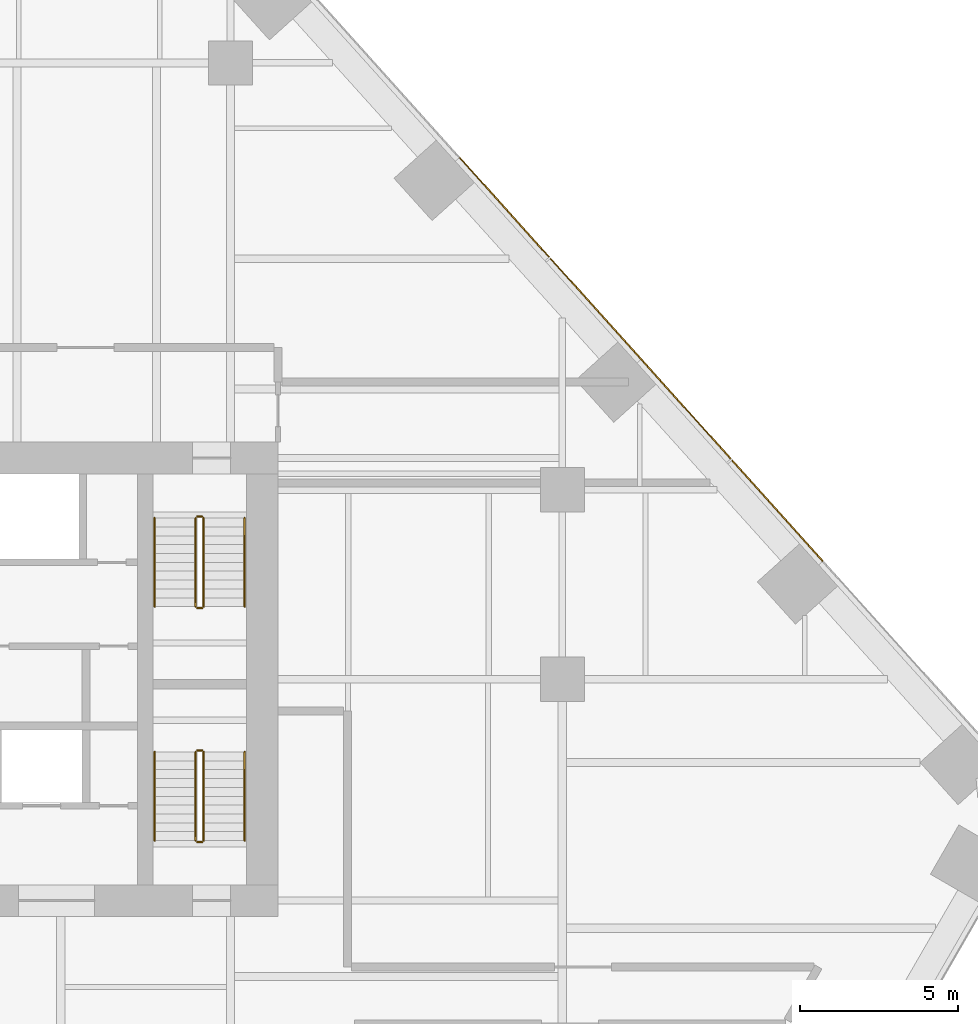
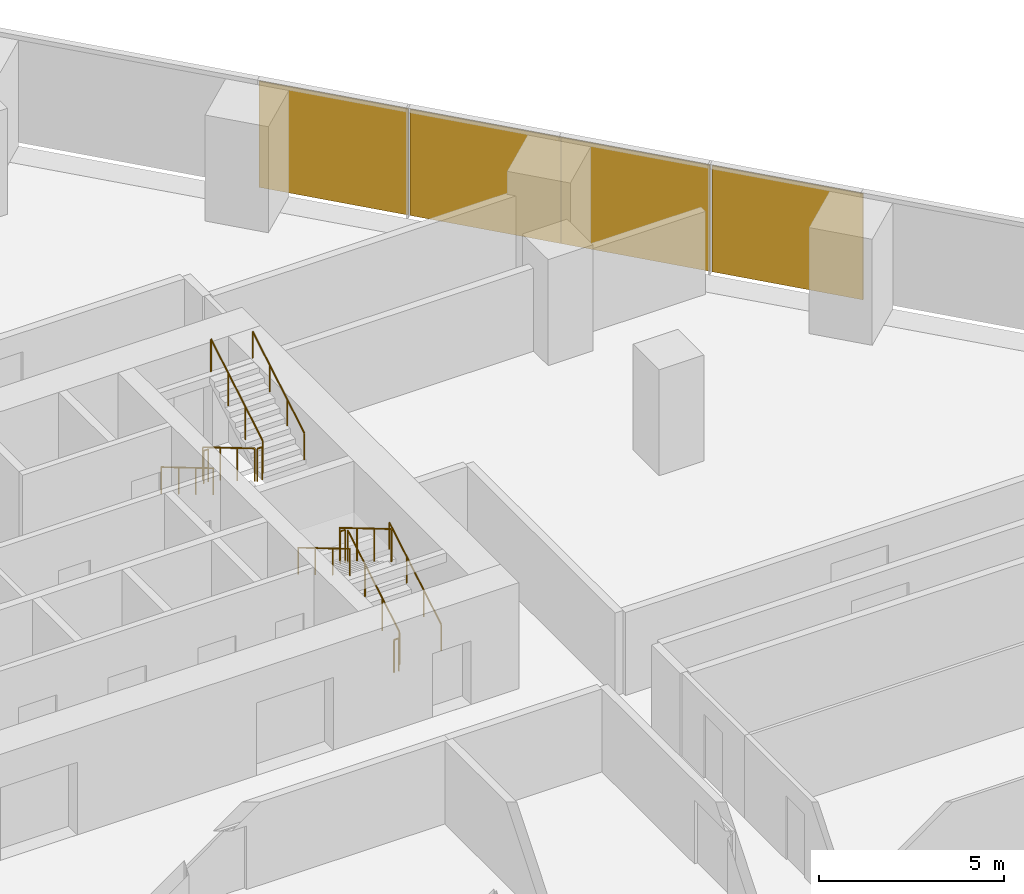
# One storey, part 20 of 20: 12 railings, 4 coverings, 1 element without a shape of its own.
"""IFC4 building model written with IfcOpenShell, lengths in metres."""

from ifc_helpers import new_model, si_unit, direction, frame, origin, origin_2d, place, context, subcontext, project, spatial, rectangle, circle, extrude, material, layer, layer_set, type_object, element, aggregate, save


model = new_model("IFC4")

# Units and contexts
model_context = context("Model", 3, precision=1e-05, world=origin(), true_north=direction((0.0, 1.0)))
body_context = subcontext(model_context, "Body", "Model", "MODEL_VIEW")
ifc_project = project(units=[si_unit("LENGTHUNIT", "METRE"), si_unit("AREAUNIT", "SQUARE_METRE"), si_unit("VOLUMEUNIT", "CUBIC_METRE"), si_unit("PLANEANGLEUNIT", "RADIAN"), si_unit("MASSUNIT", "GRAM", prefix="KILO")], contexts=[model_context])

# Site, building, storey
site_placement = place(None, origin())
site = spatial("IfcSite", under=ifc_project, at=site_placement, CompositionType="ELEMENT")
building_placement = place(site_placement, origin())
building = spatial("IfcBuilding", under=site, at=building_placement, Name="Isthmus Gate Tower", CompositionType="ELEMENT")
storey_placement = place(building_placement, frame((0.0, 0.0, 65.199951171875)))
storey = spatial("IfcBuildingStorey", under=building, at=storey_placement, Name="L14", CompositionType="ELEMENT", Elevation=65.199951171875)

# Curtain wall, coverings
ifc_material_1 = material(Name="Aluminium, pale champagne anodised", Category="aluminium")
ifc_layer_1 = layer(ifc_material_1, 0.199951171875)
ifc_layer_set_1 = layer_set([ifc_layer_1], Name="CW-1 UNITISED CURTAIN WALL 200 DEEP")
curtain_wall_type = type_object("IfcCurtainWallType", Name="CW-1 UNITISED CURTAIN WALL 200 DEEP", PredefinedType="NOTDEFINED", material=ifc_layer_set_1)
curtain_wall_placement = place(storey_placement, origin())
curtain_wall = element("IfcCurtainWall", 1, at=curtain_wall_placement, inside=storey, type_object=curtain_wall_type, Name="CW-1 NE L14", PredefinedType="NOTDEFINED")
ifc_material_2 = material(Name="Aluminium composite panel, pale champagne anodised", Category="aluminium")
ifc_layer_2 = layer(ifc_material_2, 0.0400390625)
ifc_layer_set_2 = layer_set([ifc_layer_2], Name="CW-1 PALE METAL PANEL 40")
covering_type = type_object("IfcCoveringType", Name="CW-1 PALE METAL PANEL 40", PredefinedType="CLADDING", material=ifc_layer_set_2)
covering_1_placement = place(storey_placement, frame((30.80419921875, 12.835693359375, 0.0), z_axis=(0.0, 0.0, 1.0), x_axis=(-0.669130606359, 0.743144825477, 0.0)))
covering_1 = element("IfcCovering", 2, at=covering_1_placement, type_object=covering_type, Name="CW-1 pale metal panel", PredefinedType="CLADDING", context=body_context, shape_type="SweptSolid", body=[
    extrude(rectangle(XDim=4.294677734375, YDim=0.0400390625, at=origin_2d()), origin(), (0.0, 0.0, 1.0), 3.5),
])
covering_2_placement = place(storey_placement, frame((27.910400390625, 16.049560546875, 0.0), z_axis=(0.0, 0.0, 1.0), x_axis=(-0.669130606359, 0.743144825477, 0.0)))
covering_2 = element("IfcCovering", 3, at=covering_2_placement, type_object=covering_type, Name="CW-1 pale metal panel", PredefinedType="CLADDING", context=body_context, shape_type="SweptSolid", body=[
    extrude(rectangle(XDim=4.234619140625, YDim=0.0400390625, at=origin_2d()), origin(), (0.0, 0.0, 1.0), 3.5),
])
covering_3_placement = place(storey_placement, frame((25.056884765625, 19.21875, 0.0), z_axis=(0.0, 0.0, 1.0), x_axis=(-0.669130606359, 0.743144825477, 0.0)))
covering_3 = element("IfcCovering", 4, at=covering_3_placement, type_object=covering_type, Name="CW-1 pale metal panel", PredefinedType="CLADDING", context=body_context, shape_type="SweptSolid", body=[
    extrude(rectangle(XDim=4.294677734375, YDim=0.0400390625, at=origin_2d()), origin(), (0.0, 0.0, 1.0), 3.5),
])
covering_4_placement = place(storey_placement, frame((22.1630859375, 22.4326171875, 0.0), z_axis=(0.0, 0.0, 1.0), x_axis=(-0.669130606359, 0.743144825477, 0.0)))
covering_4 = element("IfcCovering", 5, at=covering_4_placement, type_object=covering_type, Name="CW-1 pale metal panel", PredefinedType="CLADDING", context=body_context, shape_type="SweptSolid", body=[
    extrude(rectangle(XDim=4.234619140625, YDim=0.0400390625, at=origin_2d()), origin(), (0.0, 0.0, 1.0), 3.5),
])
aggregate(curtain_wall, [covering_1, covering_2, covering_3, covering_4])

# Railings
ifc_material_3 = material(Name="Stainless steel balustrade", Category="steel")
railing_type_1 = type_object("IfcRailingType", Name="STAIR GUARD 1100", PredefinedType="GUARDRAIL", material=ifc_material_3)
railing_1_placement = place(storey_placement, frame((12.39990234375, 12.60009765625, 0.166015625)))
element("IfcRailing", 6, at=railing_1_placement, inside=storey, type_object=railing_type_1, Name="L14 ST2 stair guard 1", PredefinedType="GUARDRAIL", context=body_context, shape_type="SweptSolid", body=[
    extrude(circle(Radius=0.02392578125, at=origin_2d()), frame((0.0, 0.0, 1.076171875), z_axis=(0.0, -0.860339051648, 0.50972219513), x_axis=(1.0, 0.0, 0.0)), (0.0, 0.0, 1.0), 3.254638671875),
    extrude(circle(Radius=0.02099609375, at=origin_2d()), origin(), (0.0, 0.0, 1.0), 1.052001953125),
    extrude(circle(Radius=0.02099609375, at=origin_2d()), frame((0.0, -0.933349609375, 0.552978515625)), (0.0, 0.0, 1.0), 1.052001953125),
    extrude(circle(Radius=0.02099609375, at=origin_2d()), frame((0.0, -1.86669921875, 1.10595703125)), (0.0, 0.0, 1.0), 1.052001953125),
    extrude(circle(Radius=0.02099609375, at=origin_2d()), frame((0.0, -2.800048828125, 1.658935546875)), (0.0, 0.0, 1.0), 1.052001953125),
])
railing_2_placement = place(storey_placement, frame((12.449951171875, 9.75, 1.824951171875)))
element("IfcRailing", 7, at=railing_2_placement, inside=storey, type_object=railing_type_1, Name="L14 ST2 stair guard 2", PredefinedType="GUARDRAIL", context=body_context, shape_type="SweptSolid", body=[
    extrude(circle(Radius=0.02392578125, at=origin_2d()), frame((0.0, 0.0, 1.076171875), z_axis=(1.0, 0.0, 0.0), x_axis=(0.0, 1.0, 0.0)), (0.0, 0.0, 1.0), 0.150146484375),
    extrude(circle(Radius=0.02099609375, at=origin_2d()), origin(), (0.0, 0.0, 1.0), 1.052001953125),
    extrude(circle(Radius=0.02099609375, at=origin_2d()), frame((0.150146484375, 0.0, 0.0)), (0.0, 0.0, 1.0), 1.052001953125),
])
railing_3_placement = place(storey_placement, frame((12.64990234375, 9.800048828125, 1.990966796875)))
element("IfcRailing", 8, at=railing_3_placement, inside=storey, type_object=railing_type_1, Name="L14 ST2 stair guard 3", PredefinedType="GUARDRAIL", context=body_context, shape_type="SweptSolid", body=[
    extrude(circle(Radius=0.02392578125, at=origin_2d()), frame((0.0, 0.0, 1.076171875), z_axis=(0.0, 0.860306154799, 0.50977771628), x_axis=(-1.0, 0.0, 0.0)), (0.0, 0.0, 1.0), 3.254638671875),
    extrude(circle(Radius=0.02099609375, at=origin_2d()), origin(), (0.0, 0.0, 1.0), 1.052001953125),
    extrude(circle(Radius=0.02099609375, at=origin_2d()), frame((0.0, 0.933349609375, 0.552978515625)), (0.0, 0.0, 1.0), 1.052001953125),
    extrude(circle(Radius=0.02099609375, at=origin_2d()), frame((0.0, 1.86669921875, 1.106201171875)), (0.0, 0.0, 1.0), 1.052001953125),
    extrude(circle(Radius=0.02099609375, at=origin_2d()), frame((0.0, 2.800048828125, 1.6591796875)), (0.0, 0.0, 1.0), 1.052001953125),
])
railing_4_placement = place(storey_placement, frame((12.449951171875, 12.64990234375, 0.0)))
element("IfcRailing", 9, at=railing_4_placement, inside=storey, type_object=railing_type_1, Name="L14 ST2 stair guard 4", PredefinedType="GUARDRAIL", context=body_context, shape_type="SweptSolid", body=[
    extrude(circle(Radius=0.02392578125, at=origin_2d()), frame((0.0, 0.0, 1.076171875), z_axis=(1.0, 0.0, 0.0), x_axis=(0.0, 1.0, 0.0)), (0.0, 0.0, 1.0), 0.150146484375),
    extrude(circle(Radius=0.02099609375, at=origin_2d()), origin(), (0.0, 0.0, 1.0), 1.052001953125),
    extrude(circle(Radius=0.02099609375, at=origin_2d()), frame((0.150146484375, 0.0, 0.0)), (0.0, 0.0, 1.0), 1.052001953125),
])
railing_5_placement = place(storey_placement, frame((12.64990234375, 2.39990234375, 0.166015625)))
element("IfcRailing", 10, at=railing_5_placement, inside=storey, type_object=railing_type_1, Name="L14 ST8 stair guard 1", PredefinedType="GUARDRAIL", context=body_context, shape_type="SweptSolid", body=[
    extrude(circle(Radius=0.02392578125, at=origin_2d()), frame((0.0, 0.0, 1.076171875), z_axis=(0.0, 0.860339051648, 0.50972219513), x_axis=(-1.0, 0.0, 0.0)), (0.0, 0.0, 1.0), 3.254638671875),
    extrude(circle(Radius=0.02099609375, at=origin_2d()), origin(), (0.0, 0.0, 1.0), 1.052001953125),
    extrude(circle(Radius=0.02099609375, at=origin_2d()), frame((0.0, 0.933349609375, 0.552978515625)), (0.0, 0.0, 1.0), 1.052001953125),
    extrude(circle(Radius=0.02099609375, at=origin_2d()), frame((0.0, 1.86669921875, 1.10595703125)), (0.0, 0.0, 1.0), 1.052001953125),
    extrude(circle(Radius=0.02099609375, at=origin_2d()), frame((0.0, 2.800048828125, 1.658935546875)), (0.0, 0.0, 1.0), 1.052001953125),
])
railing_6_placement = place(storey_placement, frame((12.60009765625, 5.25, 1.824951171875)))
element("IfcRailing", 11, at=railing_6_placement, inside=storey, type_object=railing_type_1, Name="L14 ST8 stair guard 2", PredefinedType="GUARDRAIL", context=body_context, shape_type="SweptSolid", body=[
    extrude(circle(Radius=0.02392578125, at=origin_2d()), frame((0.0, 0.0, 1.076171875), z_axis=(-1.0, 0.0, 0.0), x_axis=(0.0, -1.0, 0.0)), (0.0, 0.0, 1.0), 0.150146484375),
    extrude(circle(Radius=0.02099609375, at=origin_2d()), origin(), (0.0, 0.0, 1.0), 1.052001953125),
    extrude(circle(Radius=0.02099609375, at=origin_2d()), frame((-0.150146484375, 0.0, 0.0)), (0.0, 0.0, 1.0), 1.052001953125),
])
railing_7_placement = place(storey_placement, frame((12.39990234375, 5.199951171875, 1.990966796875)))
element("IfcRailing", 12, at=railing_7_placement, inside=storey, type_object=railing_type_1, Name="L14 ST8 stair guard 3", PredefinedType="GUARDRAIL", context=body_context, shape_type="SweptSolid", body=[
    extrude(circle(Radius=0.02392578125, at=origin_2d()), frame((0.0, 0.0, 1.076171875), z_axis=(0.0, -0.860306154799, 0.50977771628), x_axis=(1.0, 0.0, 0.0)), (0.0, 0.0, 1.0), 3.254638671875),
    extrude(circle(Radius=0.02099609375, at=origin_2d()), origin(), (0.0, 0.0, 1.0), 1.052001953125),
    extrude(circle(Radius=0.02099609375, at=origin_2d()), frame((0.0, -0.933349609375, 0.552978515625)), (0.0, 0.0, 1.0), 1.052001953125),
    extrude(circle(Radius=0.02099609375, at=origin_2d()), frame((0.0, -1.86669921875, 1.106201171875)), (0.0, 0.0, 1.0), 1.052001953125),
    extrude(circle(Radius=0.02099609375, at=origin_2d()), frame((0.0, -2.800048828125, 1.6591796875)), (0.0, 0.0, 1.0), 1.052001953125),
])
railing_8_placement = place(storey_placement, frame((12.60009765625, 2.35009765625, 0.0)))
element("IfcRailing", 13, at=railing_8_placement, inside=storey, type_object=railing_type_1, Name="L14 ST8 stair guard 4", PredefinedType="GUARDRAIL", context=body_context, shape_type="SweptSolid", body=[
    extrude(circle(Radius=0.02392578125, at=origin_2d()), frame((0.0, 0.0, 1.076171875), z_axis=(-1.0, 0.0, 0.0), x_axis=(0.0, -1.0, 0.0)), (0.0, 0.0, 1.0), 0.150146484375),
    extrude(circle(Radius=0.02099609375, at=origin_2d()), origin(), (0.0, 0.0, 1.0), 1.052001953125),
    extrude(circle(Radius=0.02099609375, at=origin_2d()), frame((-0.150146484375, 0.0, 0.0)), (0.0, 0.0, 1.0), 1.052001953125),
])
ifc_material_4 = material(Name="Stainless steel handrail", Category="steel")
railing_type_2 = type_object("IfcRailingType", Name="STAIR HANDRAIL 900", PredefinedType="HANDRAIL", material=ifc_material_4)
railing_9_placement = place(storey_placement, frame((11.10009765625, 12.60009765625, 0.166015625)))
element("IfcRailing", 14, at=railing_9_placement, inside=storey, type_object=railing_type_2, Name="L14 ST2 stair handrail 1", PredefinedType="HANDRAIL", context=body_context, shape_type="SweptSolid", body=[
    extrude(circle(Radius=0.02392578125, at=origin_2d()), frame((0.0, 0.0, 0.8759765625), z_axis=(0.0, -0.860339051648, 0.50972219513), x_axis=(1.0, 0.0, 0.0)), (0.0, 0.0, 1.0), 3.254638671875),
    extrude(circle(Radius=0.02099609375, at=origin_2d()), origin(), (0.0, 0.0, 1.0), 0.851806640625),
    extrude(circle(Radius=0.02099609375, at=origin_2d()), frame((0.0, -0.933349609375, 0.552978515625)), (0.0, 0.0, 1.0), 0.851806640625),
    extrude(circle(Radius=0.02099609375, at=origin_2d()), frame((0.0, -1.86669921875, 1.10595703125)), (0.0, 0.0, 1.0), 0.851806640625),
    extrude(circle(Radius=0.02099609375, at=origin_2d()), frame((0.0, -2.800048828125, 1.658935546875)), (0.0, 0.0, 1.0), 0.851806640625),
])
railing_10_placement = place(storey_placement, frame((13.949951171875, 9.800048828125, 1.990966796875)))
element("IfcRailing", 15, at=railing_10_placement, inside=storey, type_object=railing_type_2, Name="L14 ST2 stair handrail 2", PredefinedType="HANDRAIL", context=body_context, shape_type="SweptSolid", body=[
    extrude(circle(Radius=0.02392578125, at=origin_2d()), frame((0.0, 0.0, 0.8759765625), z_axis=(0.0, 0.860306154799, 0.50977771628), x_axis=(-1.0, 0.0, 0.0)), (0.0, 0.0, 1.0), 3.254638671875),
    extrude(circle(Radius=0.02099609375, at=origin_2d()), origin(), (0.0, 0.0, 1.0), 0.851806640625),
    extrude(circle(Radius=0.02099609375, at=origin_2d()), frame((0.0, 0.933349609375, 0.552978515625)), (0.0, 0.0, 1.0), 0.851806640625),
    extrude(circle(Radius=0.02099609375, at=origin_2d()), frame((0.0, 1.86669921875, 1.106201171875)), (0.0, 0.0, 1.0), 0.851806640625),
    extrude(circle(Radius=0.02099609375, at=origin_2d()), frame((0.0, 2.800048828125, 1.6591796875)), (0.0, 0.0, 1.0), 0.851806640625),
])
railing_11_placement = place(storey_placement, frame((13.949951171875, 2.39990234375, 0.166015625)))
element("IfcRailing", 16, at=railing_11_placement, inside=storey, type_object=railing_type_2, Name="L14 ST8 stair handrail 1", PredefinedType="HANDRAIL", context=body_context, shape_type="SweptSolid", body=[
    extrude(circle(Radius=0.02392578125, at=origin_2d()), frame((0.0, 0.0, 0.8759765625), z_axis=(0.0, 0.860339051648, 0.50972219513), x_axis=(-1.0, 0.0, 0.0)), (0.0, 0.0, 1.0), 3.254638671875),
    extrude(circle(Radius=0.02099609375, at=origin_2d()), origin(), (0.0, 0.0, 1.0), 0.851806640625),
    extrude(circle(Radius=0.02099609375, at=origin_2d()), frame((0.0, 0.933349609375, 0.552978515625)), (0.0, 0.0, 1.0), 0.851806640625),
    extrude(circle(Radius=0.02099609375, at=origin_2d()), frame((0.0, 1.86669921875, 1.10595703125)), (0.0, 0.0, 1.0), 0.851806640625),
    extrude(circle(Radius=0.02099609375, at=origin_2d()), frame((0.0, 2.800048828125, 1.658935546875)), (0.0, 0.0, 1.0), 0.851806640625),
])
railing_12_placement = place(storey_placement, frame((11.10009765625, 5.199951171875, 1.990966796875)))
element("IfcRailing", 17, at=railing_12_placement, inside=storey, type_object=railing_type_2, Name="L14 ST8 stair handrail 2", PredefinedType="HANDRAIL", context=body_context, shape_type="SweptSolid", body=[
    extrude(circle(Radius=0.02392578125, at=origin_2d()), frame((0.0, 0.0, 0.8759765625), z_axis=(0.0, -0.860306154799, 0.50977771628), x_axis=(1.0, 0.0, 0.0)), (0.0, 0.0, 1.0), 3.254638671875),
    extrude(circle(Radius=0.02099609375, at=origin_2d()), origin(), (0.0, 0.0, 1.0), 0.851806640625),
    extrude(circle(Radius=0.02099609375, at=origin_2d()), frame((0.0, -0.933349609375, 0.552978515625)), (0.0, 0.0, 1.0), 0.851806640625),
    extrude(circle(Radius=0.02099609375, at=origin_2d()), frame((0.0, -1.86669921875, 1.106201171875)), (0.0, 0.0, 1.0), 0.851806640625),
    extrude(circle(Radius=0.02099609375, at=origin_2d()), frame((0.0, -2.800048828125, 1.6591796875)), (0.0, 0.0, 1.0), 0.851806640625),
])

save(model, "model.ifc")
